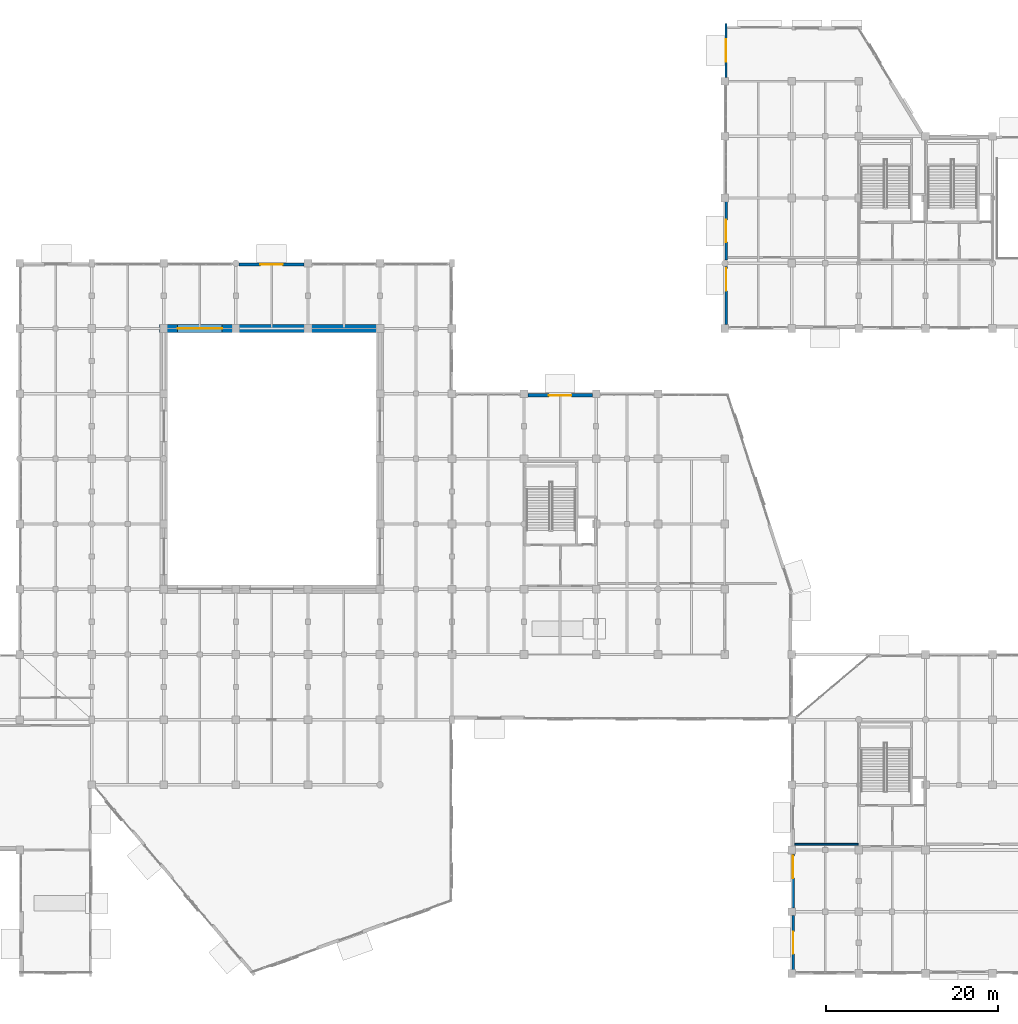
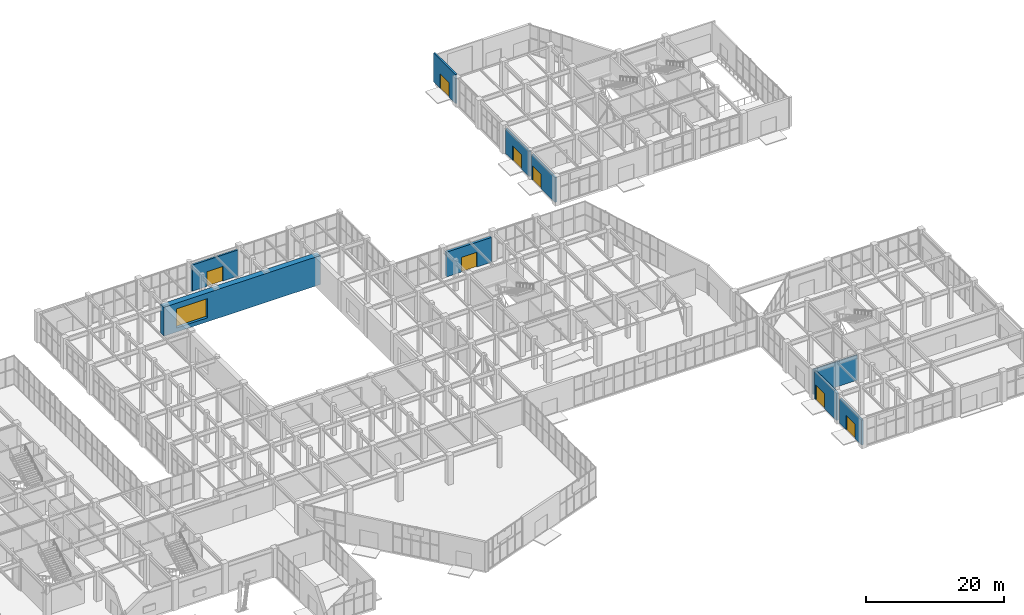
# One storey, part 124 of 139: 9 walls, 7 doors, 1 window, 8 openings.
"""IFC4 building model written with IfcOpenShell, lengths in metres."""

from ifc_helpers import new_model, si_unit, direction, frame, frame_2d, origin, place, context, subcontext, project, spatial, rectangle, extrude, material, layer, layer_set, type_object, element, fill, save


model = new_model("IFC4")

# Units and contexts
model_context = context("Model", 3, precision=1e-05, world=origin(), true_north=direction((0.0, 1.0)))
body_context = subcontext(model_context, "Body", "Model", "MODEL_VIEW")
ifc_project = project(units=[si_unit("LENGTHUNIT", "METRE"), si_unit("AREAUNIT", "SQUARE_METRE"), si_unit("VOLUMEUNIT", "CUBIC_METRE"), si_unit("PLANEANGLEUNIT", "RADIAN"), si_unit("MASSUNIT", "GRAM", prefix="KILO")], contexts=[model_context])

# Site, building, storey
site_placement = place(None, origin())
site = spatial("IfcSite", under=ifc_project, at=site_placement, CompositionType="ELEMENT")
building_placement = place(site_placement, origin())
building = spatial("IfcBuilding", under=site, at=building_placement, Name="Xicomal Pleat Aquarium", CompositionType="ELEMENT")
storey_placement = place(building_placement, origin())
storey = spatial("IfcBuildingStorey", under=building, at=storey_placement, Name="L01", CompositionType="ELEMENT", Elevation=0.0)

# Wall, opening, door
ifc_material_1 = material(Name="Volcanic basalt recinto masonry and concrete C40/50", Category="masonry")
ifc_layer_1 = layer(ifc_material_1, 0.39990234375)
ifc_layer_set_1 = layer_set([ifc_layer_1], Name="Volcanic basalt recinto masonry and concrete C40/50")
wall_type_1 = type_object("IfcWallType", Name="WAL-EXT-BAS-400", PredefinedType="SOLIDWALL", material=ifc_layer_set_1)
wall_1_placement = place(storey_placement, frame((103.034912109375, 68.199951171875, 0.0), z_axis=(0.0, 0.0, 1.0), x_axis=(1.0, 0.0, 0.0)))
wall_1 = element("IfcWall", 1, at=wall_1_placement, inside=storey, type_object=wall_type_1, Name="L01 exterior basalt-precast wall EW-L01-066", PredefinedType="SOLIDWALL", context=body_context, shape_type="SweptSolid", body=[
    extrude(rectangle(XDim=7.530029296875, YDim=0.39990234375, at=frame_2d((3.76513671875, 0.0))), origin(), (0.0, 0.0, 1.0), 4.385009765625),
])
opening_1_placement = place(wall_1_placement, frame((2.465087890625, 0.0, 0.0)))
opening_1 = element("IfcOpeningElement", 2, at=opening_1_placement, cuts=wall_1, Name="Opening EX-23", PredefinedType="OPENING", context=body_context, shape_type="SweptSolid", body=[
    extrude(rectangle(XDim=2.60009765625, YDim=2.60009765625, at=frame_2d((1.300048828125, 1.300048828125))), frame((0.0, 0.2099609375, 0.0), z_axis=(0.0, -1.0, 0.0), x_axis=(1.0, 0.0, 0.0)), (0.0, 0.0, 1.0), 0.419921875),
])
ifc_material_2 = material(Name="Bronze anodized aluminium and laminated safety glass", Category="aluminium")
door_type = type_object("IfcDoorType", Name="DOR-EX-2600x2600", OperationType="DOUBLE_DOOR_SINGLE_SWING", PredefinedType="DOOR", material=ifc_material_2)
door_1_placement = place(opening_1_placement, origin())
door_1 = element("IfcDoor", 3, at=door_1_placement, inside=storey, type_object=door_type, Name="Ground floor pedestrian final exit door EX-23", OperationType="DOUBLE_DOOR_SINGLE_SWING", OverallHeight=2.60009765625, OverallWidth=2.60009765625, PredefinedType="DOOR", context=body_context, shape_type="SweptSolid", body=[
    extrude(rectangle(XDim=2.60009765625, YDim=2.60009765625, at=frame_2d((1.300048828125, 1.300048828125))), frame((0.0, 0.02490234375, 0.0), z_axis=(0.0, -1.0, 0.0), x_axis=(1.0, 0.0, 0.0)), (0.0, 0.0, 1.0), 0.050048828125),
])
fill(opening_1, door_1)

ifc_material_3 = material(Name="Precast concrete C40/50", Category="concrete")
ifc_layer_2 = layer(ifc_material_3, 0.280029296875)
ifc_layer_set_2 = layer_set([ifc_layer_2], Name="Precast concrete C40/50")
wall_type_2 = type_object("IfcWallType", Name="WAL-EXT-PRC-280", PredefinedType="SOLIDWALL", material=ifc_layer_set_2)
wall_2_placement = place(storey_placement, frame((126.139892578125, 105.235107421875, 0.0), z_axis=(0.0, 0.0, 1.0), x_axis=(0.0, 1.0, 0.0)))
wall_2 = element("IfcWall", 4, at=wall_2_placement, inside=storey, type_object=wall_type_2, Name="L01 exterior basalt-precast wall EW-L01-114", PredefinedType="SOLIDWALL", context=body_context, shape_type="SweptSolid", body=[
    extrude(rectangle(XDim=6.324951171875, YDim=0.280029296875, at=frame_2d((3.16259765625, 0.0))), origin(), (0.0, 0.0, 1.0), 5.159912109375),
])
opening_2_placement = place(wall_2_placement, frame((1.863037109375, 0.0, 0.0)))
opening_2 = element("IfcOpeningElement", 5, at=opening_2_placement, cuts=wall_2, Name="Opening EX-29", PredefinedType="OPENING", context=body_context, shape_type="SweptSolid", body=[
    extrude(rectangle(XDim=2.60009765625, YDim=2.60009765625, at=frame_2d((1.300048828125, 1.300048828125))), frame((0.0, 0.14990234375, 0.0), z_axis=(0.0, -1.0, 0.0), x_axis=(1.0, 0.0, 0.0)), (0.0, 0.0, 1.0), 0.300048828125),
])
door_2_placement = place(opening_2_placement, origin())
door_2 = element("IfcDoor", 6, at=door_2_placement, inside=storey, type_object=door_type, Name="Ground floor pedestrian final exit door EX-29", OperationType="DOUBLE_DOOR_SINGLE_SWING", OverallHeight=2.60009765625, OverallWidth=2.60009765625, PredefinedType="DOOR", context=body_context, shape_type="SweptSolid", body=[
    extrude(rectangle(XDim=2.60009765625, YDim=2.60009765625, at=frame_2d((1.300048828125, 1.300048828125))), frame((0.0, 0.02490234375, 0.0), z_axis=(0.0, -1.0, 0.0), x_axis=(1.0, 0.0, 0.0)), (0.0, 0.0, 1.0), 0.050048828125),
])
fill(opening_2, door_2)

ifc_material_4 = material(Name="Precast concrete C40/50", Category="concrete")
ifc_layer_3 = layer(ifc_material_4, 0.300048828125)
ifc_layer_set_3 = layer_set([ifc_layer_3], Name="Precast concrete C40/50")
wall_type_3 = type_object("IfcWallType", Name="WAL-EXT-PRC-300", PredefinedType="SOLIDWALL", material=ifc_layer_set_3)
wall_3_placement = place(storey_placement, frame((69.360107421875, 83.449951171875, 0.0), z_axis=(0.0, 0.0, 1.0), x_axis=(1.0, 0.0, 0.0)))
wall_3 = element("IfcWall", 7, at=wall_3_placement, inside=storey, type_object=wall_type_3, Name="L01 exterior basalt-precast wall EW-L01-060", PredefinedType="SOLIDWALL", context=body_context, shape_type="SweptSolid", body=[
    extrude(rectangle(XDim=7.60498046875, YDim=0.300048828125, at=frame_2d((3.802490234375, 0.0))), origin(), (0.0, 0.0, 1.0), 4.6259765625),
])
opening_3_placement = place(wall_3_placement, frame((2.5029296875, 0.0, 0.0)))
opening_3 = element("IfcOpeningElement", 8, at=opening_3_placement, cuts=wall_3, Name="Opening EX-20", PredefinedType="OPENING", context=body_context, shape_type="SweptSolid", body=[
    extrude(rectangle(XDim=2.60009765625, YDim=2.60009765625, at=frame_2d((1.300048828125, 1.300048828125))), frame((0.0, 0.159912109375, 0.0), z_axis=(0.0, -1.0, 0.0), x_axis=(1.0, 0.0, 0.0)), (0.0, 0.0, 1.0), 0.320068359375),
])
door_3_placement = place(opening_3_placement, origin())
door_3 = element("IfcDoor", 9, at=door_3_placement, inside=storey, type_object=door_type, Name="Ground floor pedestrian final exit door EX-20", OperationType="DOUBLE_DOOR_SINGLE_SWING", OverallHeight=2.60009765625, OverallWidth=2.60009765625, PredefinedType="DOOR", context=body_context, shape_type="SweptSolid", body=[
    extrude(rectangle(XDim=2.60009765625, YDim=2.60009765625, at=frame_2d((1.300048828125, 1.300048828125))), frame((0.0, 0.02490234375, 0.0), z_axis=(0.0, -1.0, 0.0), x_axis=(1.0, 0.0, 0.0)), (0.0, 0.0, 1.0), 0.050048828125),
])
fill(opening_3, door_3)

ifc_material_5 = material(Name="Precast concrete C40/50", Category="concrete")
ifc_layer_4 = layer(ifc_material_5, 0.31201171875)
ifc_layer_set_4 = layer_set([ifc_layer_4], Name="Precast concrete C40/50")
wall_type_4 = type_object("IfcWallType", Name="WAL-EXT-PRC-312", PredefinedType="SOLIDWALL", material=ifc_layer_set_4)
wall_4_placement = place(storey_placement, frame((126.156005859375, 83.9599609375, 0.0), z_axis=(0.0, 0.0, 1.0), x_axis=(0.0, 1.0, 0.0)))
wall_4 = element("IfcWall", 10, at=wall_4_placement, inside=storey, type_object=wall_type_4, Name="L01 exterior basalt-precast wall EW-L01-111", PredefinedType="SOLIDWALL", context=body_context, shape_type="SweptSolid", body=[
    extrude(rectangle(XDim=6.804931640625, YDim=0.31201171875, at=frame_2d((3.40234375, 0.0))), origin(), (0.0, 0.0, 1.0), 4.402099609375),
])
opening_4_placement = place(wall_4_placement, frame((2.10302734375, 0.0, 0.0)))
opening_4 = element("IfcOpeningElement", 11, at=opening_4_placement, cuts=wall_4, Name="Opening EX-25", PredefinedType="OPENING", context=body_context, shape_type="SweptSolid", body=[
    extrude(rectangle(XDim=2.60009765625, YDim=2.60009765625, at=frame_2d((1.300048828125, 1.300048828125))), frame((0.0, 0.166015625, 0.0), z_axis=(0.0, -1.0, 0.0), x_axis=(1.0, 0.0, 0.0)), (0.0, 0.0, 1.0), 0.33203125),
])
door_4_placement = place(opening_4_placement, origin())
door_4 = element("IfcDoor", 12, at=door_4_placement, inside=storey, type_object=door_type, Name="Ground floor pedestrian final exit door EX-25", OperationType="DOUBLE_DOOR_SINGLE_SWING", OverallHeight=2.60009765625, OverallWidth=2.60009765625, PredefinedType="DOOR", context=body_context, shape_type="SweptSolid", body=[
    extrude(rectangle(XDim=2.60009765625, YDim=2.60009765625, at=frame_2d((1.300048828125, 1.300048828125))), frame((0.0, 0.02490234375, 0.0), z_axis=(0.0, -1.0, 0.0), x_axis=(1.0, 0.0, 0.0)), (0.0, 0.0, 1.0), 0.050048828125),
])
fill(opening_4, door_4)

ifc_material_6 = material(Name="Precast concrete C40/50", Category="concrete")
ifc_layer_5 = layer(ifc_material_6, 0.324951171875)
ifc_layer_set_5 = layer_set([ifc_layer_5], Name="Precast concrete C40/50")
wall_type_5 = type_object("IfcWallType", Name="WAL-EXT-PRC-325", PredefinedType="SOLIDWALL", material=ifc_layer_set_5)
wall_5_placement = place(storey_placement, frame((133.962890625, 8.43505859375, 0.0), z_axis=(0.0, 0.0, 1.0), x_axis=(0.0, 1.0, 0.0)))
wall_5 = element("IfcWall", 13, at=wall_5_placement, inside=storey, type_object=wall_type_5, Name="L01 exterior basalt-precast wall EW-L01-097", PredefinedType="SOLIDWALL", context=body_context, shape_type="SweptSolid", body=[
    extrude(rectangle(XDim=6.329833984375, YDim=0.324951171875, at=frame_2d((3.1650390625, 0.0))), origin(), (0.0, 0.0, 1.0), 4.864990234375),
])
opening_5_placement = place(wall_5_placement, frame((3.47998046875, 0.0, 0.0)))
opening_5 = element("IfcOpeningElement", 14, at=opening_5_placement, cuts=wall_5, Name="Opening EX-08", PredefinedType="OPENING", context=body_context, shape_type="SweptSolid", body=[
    extrude(rectangle(XDim=2.60009765625, YDim=2.60009765625, at=frame_2d((1.300048828125, 1.300048828125))), frame((0.0, 0.17236328125, 0.0), z_axis=(0.0, -1.0, 0.0), x_axis=(1.0, 0.0, 0.0)), (0.0, 0.0, 1.0), 0.344970703125),
])
door_5_placement = place(opening_5_placement, origin())
door_5 = element("IfcDoor", 15, at=door_5_placement, inside=storey, type_object=door_type, Name="Ground floor pedestrian final exit door EX-08", OperationType="DOUBLE_DOOR_SINGLE_SWING", OverallHeight=2.60009765625, OverallWidth=2.60009765625, PredefinedType="DOOR", context=body_context, shape_type="SweptSolid", body=[
    extrude(rectangle(XDim=2.60009765625, YDim=2.60009765625, at=frame_2d((1.300048828125, 1.300048828125))), frame((0.0, 0.02490234375, 0.0), z_axis=(0.0, -1.0, 0.0), x_axis=(1.0, 0.0, 0.0)), (0.0, 0.0, 1.0), 0.050048828125),
])
fill(opening_5, door_5)

wall_6_placement = place(storey_placement, frame((126.162109375, 76.43505859375, 0.0), z_axis=(0.0, 0.0, 1.0), x_axis=(0.0, 1.0, 0.0)))
wall_6 = element("IfcWall", 16, at=wall_6_placement, inside=storey, type_object=wall_type_5, Name="L01 exterior basalt-precast wall EW-L01-110", PredefinedType="SOLIDWALL", context=body_context, shape_type="SweptSolid", body=[
    extrude(rectangle(XDim=6.804931640625, YDim=0.324951171875, at=frame_2d((3.40234375, 0.0))), origin(), (0.0, 0.0, 1.0), 4.402099609375),
])
opening_6_placement = place(wall_6_placement, frame((3.955078125, 0.0, 0.0)))
opening_6 = element("IfcOpeningElement", 17, at=opening_6_placement, cuts=wall_6, Name="Opening EX-06", PredefinedType="OPENING", context=body_context, shape_type="SweptSolid", body=[
    extrude(rectangle(XDim=2.60009765625, YDim=2.60009765625, at=frame_2d((1.300048828125, 1.300048828125))), frame((0.0, 0.17236328125, 0.0), z_axis=(0.0, -1.0, 0.0), x_axis=(1.0, 0.0, 0.0)), (0.0, 0.0, 1.0), 0.344970703125),
])
door_6_placement = place(opening_6_placement, origin())
door_6 = element("IfcDoor", 18, at=door_6_placement, inside=storey, type_object=door_type, Name="Ground floor pedestrian final exit door EX-06", OperationType="DOUBLE_DOOR_SINGLE_SWING", OverallHeight=2.60009765625, OverallWidth=2.60009765625, PredefinedType="DOOR", context=body_context, shape_type="SweptSolid", body=[
    extrude(rectangle(XDim=2.60009765625, YDim=2.60009765625, at=frame_2d((1.300048828125, 1.300048828125))), frame((0.0, 0.02490234375, 0.0), z_axis=(0.0, -1.0, 0.0), x_axis=(1.0, 0.0, 0.0)), (0.0, 0.0, 1.0), 0.050048828125),
])
fill(opening_6, door_6)

ifc_material_7 = material(Name="Precast concrete C40/50", Category="concrete")
ifc_layer_6 = layer(ifc_material_7, 0.340087890625)
ifc_layer_set_6 = layer_set([ifc_layer_6], Name="Precast concrete C40/50")
wall_type_6 = type_object("IfcWallType", Name="WAL-EXT-PRC-340", PredefinedType="SOLIDWALL", material=ifc_layer_set_6)
wall_7_placement = place(storey_placement, frame((133.969970703125, 1.235107421875, 0.0), z_axis=(0.0, 0.0, 1.0), x_axis=(0.0, 1.0, 0.0)))
wall_7 = element("IfcWall", 19, at=wall_7_placement, inside=storey, type_object=wall_type_6, Name="L01 exterior basalt-precast wall EW-L01-096", PredefinedType="SOLIDWALL", context=body_context, shape_type="SweptSolid", body=[
    extrude(rectangle(XDim=6.329833984375, YDim=0.340087890625, at=frame_2d((3.1650390625, 0.0))), origin(), (0.0, 0.0, 1.0), 4.422119140625),
])
opening_7_placement = place(wall_7_placement, frame((1.864990234375, 0.0, 0.0)))
opening_7 = element("IfcOpeningElement", 20, at=opening_7_placement, cuts=wall_7, Name="Opening EX-28", PredefinedType="OPENING", context=body_context, shape_type="SweptSolid", body=[
    extrude(rectangle(XDim=2.60009765625, YDim=2.60009765625, at=frame_2d((1.300048828125, 1.300048828125))), frame((0.0, 0.179931640625, 0.0), z_axis=(0.0, -1.0, 0.0), x_axis=(1.0, 0.0, 0.0)), (0.0, 0.0, 1.0), 0.360107421875),
])
door_7_placement = place(opening_7_placement, origin())
door_7 = element("IfcDoor", 21, at=door_7_placement, inside=storey, type_object=door_type, Name="Ground floor pedestrian final exit door EX-28", OperationType="DOUBLE_DOOR_SINGLE_SWING", OverallHeight=2.60009765625, OverallWidth=2.60009765625, PredefinedType="DOOR", context=body_context, shape_type="SweptSolid", body=[
    extrude(rectangle(XDim=2.60009765625, YDim=2.60009765625, at=frame_2d((1.300048828125, 1.300048828125))), frame((0.0, 0.02490234375, 0.0), z_axis=(0.0, -1.0, 0.0), x_axis=(1.0, 0.0, 0.0)), (0.0, 0.0, 1.0), 0.050048828125),
])
fill(opening_7, door_7)

# Wall
ifc_material_8 = material(Name="Fire-rated gypsum and mineral-wool partition", Category="gypsum")
ifc_layer_7 = layer(ifc_material_8, 0.22509765625)
ifc_layer_set_7 = layer_set([ifc_layer_7], Name="Fire-rated gypsum and mineral-wool partition")
wall_type_7 = type_object("IfcWallType", Name="WAL-PRT-225", PredefinedType="PARTITIONING", material=ifc_layer_set_7)
wall_8_placement = place(storey_placement, frame((134.172119140625, 15.8701171875, 0.0), z_axis=(0.0, 0.0, 1.0), x_axis=(1.0, 0.0, 0.0)))
element("IfcWall", 22, at=wall_8_placement, inside=storey, type_object=wall_type_7, Name="L01 interior partition PT-L01-034", PredefinedType="PARTITIONING", context=body_context, shape_type="SweptSolid", body=[
    extrude(rectangle(XDim=7.367919921875, YDim=0.22509765625, at=frame_2d((3.68408203125, 0.0))), origin(), (0.0, 0.0, 1.0), 4.422119140625),
])

# Wall, opening, window
ifc_material_9 = material(Name="Concrete C45/55", Category="concrete")
ifc_layer_8 = layer(ifc_material_9, 0.949951171875)
ifc_layer_set_8 = layer_set([ifc_layer_8], Name="Concrete C45/55")
wall_type_8 = type_object("IfcWallType", Name="WAL-TANK-950", PredefinedType="SHEAR", material=ifc_layer_set_8)
wall_9_placement = place(storey_placement, frame((60.125, 76.0, 0.0), z_axis=(0.0, 0.0, 1.0), x_axis=(1.0, 0.0, 0.0)))
wall_9 = element("IfcWall", 23, at=wall_9_placement, inside=storey, type_object=wall_type_8, Name="Main ocean tank hydrostatic wall TW-L01-N", PredefinedType="SHEAR", context=body_context, shape_type="SweptSolid", body=[
    extrude(rectangle(XDim=26.14990234375, YDim=0.949951171875, at=frame_2d((13.074951171875, 0.0))), origin(), (0.0, 0.0, 1.0), 5.10009765625),
])
opening_8_placement = place(wall_9_placement, frame((2.080078125, 0.0, 0.699951171875)))
opening_8 = element("IfcOpeningElement", 24, at=opening_8_placement, cuts=wall_9, Name="Opening AW-01", PredefinedType="OPENING", context=body_context, shape_type="SweptSolid", body=[
    extrude(rectangle(XDim=5.199951171875, YDim=3.39990234375, at=frame_2d((2.60009765625, 1.699951171875))), frame((0.0, 0.48486328125, 0.0), z_axis=(0.0, -1.0, 0.0), x_axis=(1.0, 0.0, 0.0)), (0.0, 0.0, 1.0), 0.969970703125),
])
ifc_material_10 = material(Name="Cast PMMA acrylic viewing glazing", Category="glass")
window_type = type_object("IfcWindowType", Name="WIN-PMMA-5200x3400", PartitioningType="SINGLE_PANEL", PredefinedType="WINDOW", material=ifc_material_10)
window_placement = place(opening_8_placement, origin())
window = element("IfcWindow", 25, at=window_placement, inside=storey, type_object=window_type, Name="L01 cast PMMA acrylic ocean tank window AW-L01-N1", OverallHeight=3.39990234375, OverallWidth=5.199951171875, PartitioningType="SINGLE_PANEL", PredefinedType="WINDOW", context=body_context, shape_type="SweptSolid", body=[
    extrude(rectangle(XDim=5.199951171875, YDim=3.39990234375, at=frame_2d((2.60009765625, 1.699951171875))), frame((0.0, 0.030029296875, 0.0), z_axis=(0.0, -1.0, 0.0), x_axis=(1.0, 0.0, 0.0)), (0.0, 0.0, 1.0), 0.06005859375),
])
fill(opening_8, window)

save(model, "model.ifc")
